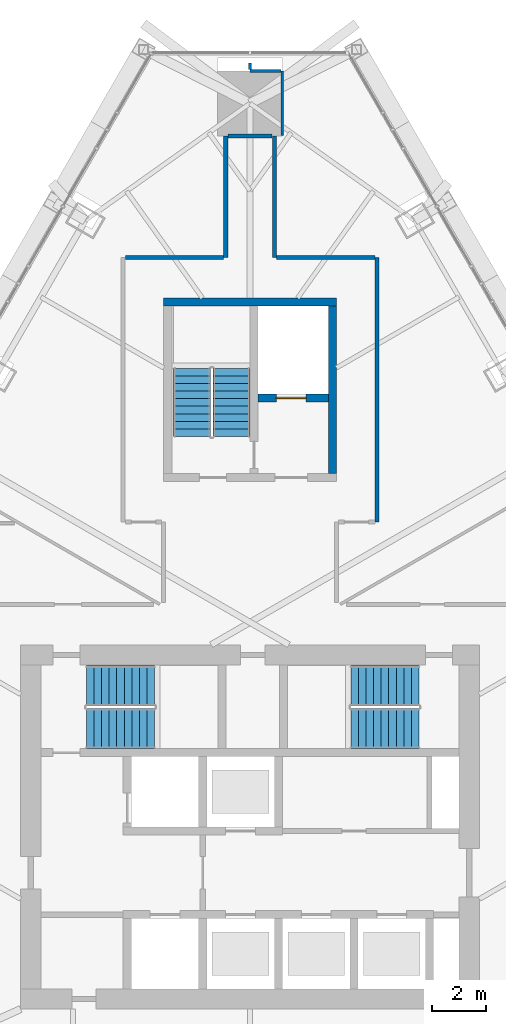
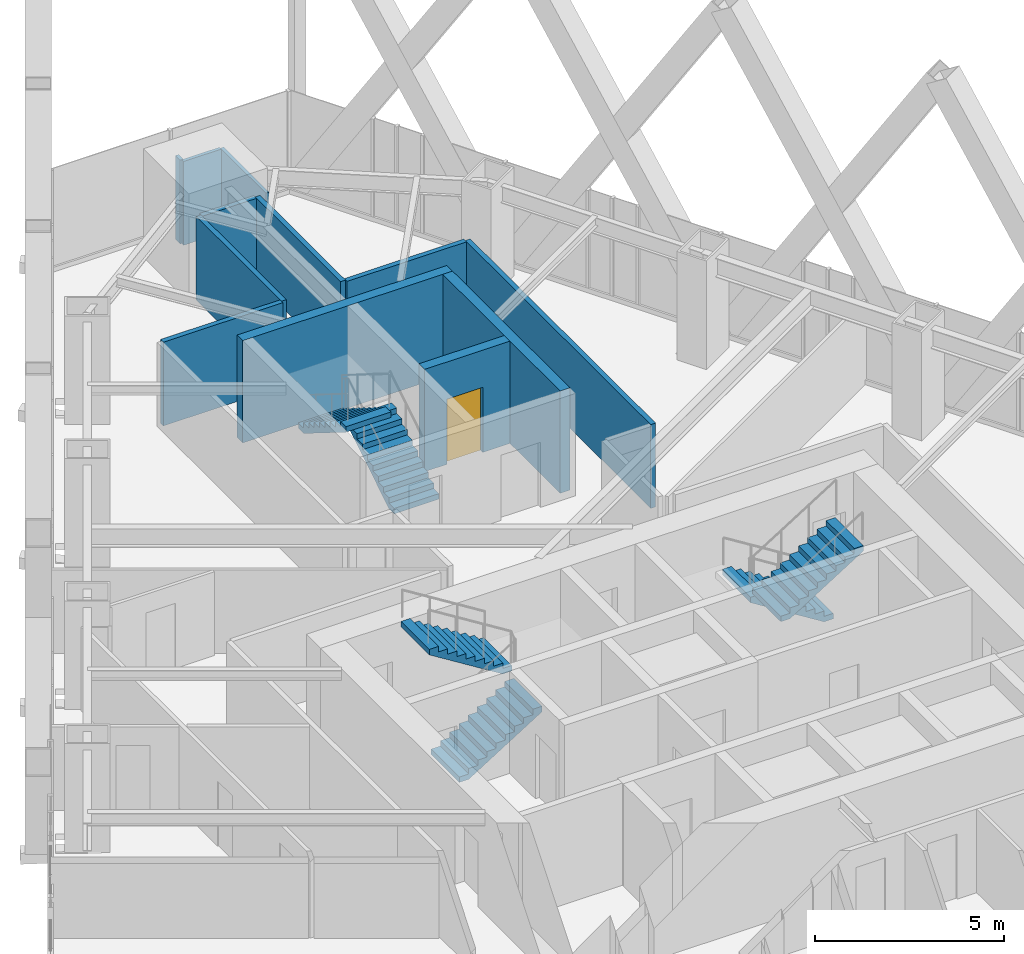
# One storey, part 23 of 25: 12 walls, 6 stair flights, 1 door, 1 opening, 3 elements without a shape of their own.
"""IFC4 building model written with IfcOpenShell, lengths in metres."""

from ifc_helpers import new_model, si_unit, direction, frame, frame_2d, origin, place, context, subcontext, project, spatial, polyline, rectangle, outline, extrude, material, layer, layer_set, type_object, element, fill, aggregate, save


model = new_model("IFC4")

# Units and contexts
model_context = context("Model", 3, precision=1e-05, world=origin(), true_north=direction((0.0, 1.0)))
body_context = subcontext(model_context, "Body", "Model", "MODEL_VIEW")
ifc_project = project(units=[si_unit("LENGTHUNIT", "METRE"), si_unit("AREAUNIT", "SQUARE_METRE"), si_unit("VOLUMEUNIT", "CUBIC_METRE"), si_unit("PLANEANGLEUNIT", "RADIAN"), si_unit("MASSUNIT", "GRAM", prefix="KILO")], contexts=[model_context])

# Site, building, storey
site_placement = place(None, origin())
site = spatial("IfcSite", under=ifc_project, at=site_placement, CompositionType="ELEMENT")
building_placement = place(site_placement, origin())
building = spatial("IfcBuilding", under=site, at=building_placement, Name="Firuza Gate Tower and Library", CompositionType="ELEMENT")
storey_placement = place(building_placement, frame((0.0, 0.0, 270.60009765625)))
storey = spatial("IfcBuildingStorey", under=building, at=storey_placement, Name="L64", CompositionType="ELEMENT", Elevation=270.60009765625)

# Walls
ifc_material_1 = material(Name="Concrete C60/75", Category="concrete")
ifc_layer_1 = layer(ifc_material_1, 0.300048828125)
ifc_layer_set_1 = layer_set([ifc_layer_1], Name="Core wall 300 C60/75")
wall_type_1 = type_object("IfcWallType", Name="Core wall 300 C60/75", PredefinedType="SHEAR", material=ifc_layer_set_1)
wall_1_placement = place(storey_placement, frame((71.800048828125, 94.449951171875, 0.0), z_axis=(0.0, 0.0, 1.0), x_axis=(1.0, 0.0, 0.0)))
element("IfcWall", 1, at=wall_1_placement, inside=storey, type_object=wall_type_1, Name="Core wall L64 19", PredefinedType="SHEAR", context=body_context, shape_type="SweptSolid", body=[
    extrude(rectangle(XDim=6.39990234375, YDim=0.300048828125, at=frame_2d((3.199951171875, 0.0))), origin(), (0.0, 0.0, 1.0), 3.2998046875),
])
wall_2_placement = place(storey_placement, frame((78.050048828125, 88.10009765625, 0.0), z_axis=(0.0, 0.0, 1.0), x_axis=(0.0, 1.0, 0.0)))
element("IfcWall", 2, at=wall_2_placement, inside=storey, type_object=wall_type_1, Name="Core wall L64 21", PredefinedType="SHEAR", context=body_context, shape_type="SweptSolid", body=[
    extrude(rectangle(XDim=6.199951171875, YDim=0.300048828125, at=frame_2d((3.10009765625, 0.0))), origin(), (0.0, 0.0, 1.0), 3.2998046875),
])

# Wall, opening, door
wall_3_placement = place(storey_placement, frame((75.300048828125, 90.89990234375, 0.0), z_axis=(0.0, 0.0, 1.0), x_axis=(1.0, 0.0, 0.0)))
wall_3 = element("IfcWall", 3, at=wall_3_placement, inside=storey, type_object=wall_type_1, Name="Core wall L64 22", PredefinedType="SHEAR", context=body_context, shape_type="SweptSolid", body=[
    extrude(rectangle(XDim=2.599853515625, YDim=0.300048828125, at=frame_2d((1.2998046875, 0.0))), origin(), (0.0, 0.0, 1.0), 3.2998046875),
])
opening_placement = place(wall_3_placement, frame((0.675048828125, 0.0, 0.0)))
opening = element("IfcOpeningElement", 4, at=opening_placement, cuts=wall_3, Name="Opening LD-SV1-L64", PredefinedType="OPENING", context=body_context, shape_type="SweptSolid", body=[
    extrude(rectangle(XDim=1.10009765625, YDim=2.10009765625, at=frame_2d((0.550048828125, 1.050048828125))), frame((0.0, 0.16015625, 0.0), z_axis=(0.0, -1.0, 0.0), x_axis=(1.0, 0.0, 0.0)), (0.0, 0.0, 1.0), 0.320068359375),
])
ifc_material_2 = material(Name="Stainless steel", Category="steel")
door_type = type_object("IfcDoorType", Name="Lift landing door 1100x2100", OperationType="DOUBLE_DOOR_SLIDING", PredefinedType="DOOR", material=ifc_material_2)
door_placement = place(opening_placement, origin())
door = element("IfcDoor", 5, at=door_placement, inside=storey, type_object=door_type, Name="Landing door SV1 L64", OperationType="DOUBLE_DOOR_SLIDING", OverallHeight=2.10009765625, OverallWidth=1.10009765625, PredefinedType="DOOR", context=body_context, shape_type="SweptSolid", body=[
    extrude(rectangle(XDim=1.10009765625, YDim=2.10009765625, at=frame_2d((0.550048828125, 1.050048828125))), frame((0.0, 0.02490234375, 0.0), z_axis=(0.0, -1.0, 0.0), x_axis=(1.0, 0.0, 0.0)), (0.0, 0.0, 1.0), 0.050048828125),
])
fill(opening, door)

# Walls
ifc_material_3 = material(Name="Gypsum board partition")
ifc_layer_2 = layer(ifc_material_3, 0.14990234375)
ifc_layer_set_2 = layer_set([ifc_layer_2], Name="Corridor wall 150 double board on steel studs")
wall_type_2 = type_object("IfcWallType", Name="Corridor wall 150 double board on steel studs", PredefinedType="PARTITIONING", material=ifc_layer_set_2)
for number, where, z_axis, x_axis, name in (
    (6, (70.376953125, 96.10009765625, 0.0), (0.0, 0.0, 1.0), (1.0, 0.0, 0.0), "f:L64:w011"),
    (7, (75.97509765625, 96.10009765625, 0.0), (0.0, 0.0, 1.0), (1.0, 0.0, 0.0), "f:L64:w012"),
):
    element("IfcWall", number, at=place(storey_placement, frame(where, z_axis=z_axis, x_axis=x_axis)), inside=storey, type_object=wall_type_2, Name=name, PredefinedType="PARTITIONING", context=body_context, shape_type="SweptSolid", body=[
        extrude(rectangle(XDim=3.64794921875, YDim=0.14990234375, at=frame_2d((1.823974609375, 0.0))), origin(), (0.0, 0.0, 1.0), 2.699951171875),
    ])
wall_4_placement = place(storey_placement, frame((74.175537109375, 100.612060546875, 0.0), z_axis=(0.0, 0.0, 1.0), x_axis=(1.0, 0.0, 0.0)))
element("IfcWall", 8, at=wall_4_placement, inside=storey, type_object=wall_type_2, Name="f:L64:w013", PredefinedType="PARTITIONING", context=body_context, shape_type="SweptSolid", body=[
    extrude(rectangle(XDim=1.642578125, YDim=0.14990234375, at=frame_2d((0.8212890625, 0.0))), origin(), (0.0, 0.0, 1.0), 2.697021484375),
])
wall_5_placement = place(storey_placement, frame((79.699951171875, 86.302001953125, 0.0), z_axis=(0.0, 0.0, 1.0), x_axis=(0.0, 1.0, 0.0)))
element("IfcWall", 9, at=wall_5_placement, inside=storey, type_object=wall_type_2, Name="f:L64:w033", PredefinedType="PARTITIONING", context=body_context, shape_type="SweptSolid", body=[
    extrude(rectangle(XDim=9.7958984375, YDim=0.14990234375, at=frame_2d((4.89794921875, 0.0))), origin(), (0.0, 0.0, 1.0), 2.699951171875),
])
wall_6_placement = place(storey_placement, frame((75.89990234375, 96.10009765625, 0.0), z_axis=(0.0, 0.0, 1.0), x_axis=(0.0, 1.0, 0.0)))
element("IfcWall", 10, at=wall_6_placement, inside=storey, type_object=wall_type_2, Name="f:L64:w038", PredefinedType="PARTITIONING", context=body_context, shape_type="SweptSolid", body=[
    extrude(rectangle(XDim=4.51171875, YDim=0.14990234375, at=frame_2d((2.255859375, 0.0))), origin(), (0.0, 0.0, 1.0), 2.699951171875),
])
wall_7_placement = place(storey_placement, frame((74.10009765625, 96.10009765625, 0.0), z_axis=(0.0, 0.0, 1.0), x_axis=(0.0, 1.0, 0.0)))
element("IfcWall", 11, at=wall_7_placement, inside=storey, type_object=wall_type_2, Name="f:L64:w040", PredefinedType="PARTITIONING", context=body_context, shape_type="SweptSolid", body=[
    extrude(rectangle(XDim=4.51123046875, YDim=0.14990234375, at=frame_2d((2.255615234375, 0.0))), origin(), (0.0, 0.0, 1.0), 2.699951171875),
])
ifc_material_4 = material(Name="Gypsum board partition")
ifc_layer_3 = layer(ifc_material_4, 0.10009765625)
ifc_layer_set_3 = layer_set([ifc_layer_3], Name="Partition 100 gypsum board on steel studs")
wall_type_3 = type_object("IfcWallType", Name="Partition 100 gypsum board on steel studs", PredefinedType="PARTITIONING", material=ifc_layer_set_3)
wall_8_placement = place(storey_placement, frame((75.00048828125, 103.011962890625, 0.0), z_axis=(0.0, 0.0, 1.0), x_axis=(1.0, 0.0, 0.0)))
element("IfcWall", 12, at=wall_8_placement, inside=storey, type_object=wall_type_3, Name="f:L64:w014", PredefinedType="PARTITIONING", context=body_context, shape_type="SweptSolid", body=[
    extrude(rectangle(XDim=1.1474609375, YDim=0.10009765625, at=frame_2d((0.57373046875, 0.0))), origin(), (0.0, 0.0, 1.0), 2.699951171875),
])
wall_9_placement = place(storey_placement, frame((76.199951171875, 100.614013671875, 0.0), z_axis=(0.0, 0.0, 1.0), x_axis=(0.0, 1.0, 0.0)))
element("IfcWall", 13, at=wall_9_placement, inside=storey, type_object=wall_type_3, Name="f:L64:w036", PredefinedType="PARTITIONING", context=body_context, shape_type="SweptSolid", body=[
    extrude(rectangle(XDim=2.39599609375, YDim=0.10009765625, at=frame_2d((1.197998046875, 0.0))), origin(), (0.0, 0.0, 1.0), 2.699951171875),
])
wall_10_placement = place(storey_placement, frame((75.0, 103.0625, 0.0), z_axis=(0.0, 0.0, 1.0), x_axis=(0.0, 1.0, 0.0)))
element("IfcWall", 14, at=wall_10_placement, inside=storey, type_object=wall_type_3, Name="f:L64:w039", PredefinedType="PARTITIONING", context=body_context, shape_type="SweptSolid", body=[
    extrude(rectangle(XDim=0.249267578125, YDim=0.10009765625, at=frame_2d((0.12451171875, 0.0))), origin(), (0.0, 0.0, 1.0), 2.699951171875),
])

# Stair, stair flights
ifc_material_5 = material(Name="Concrete C35/45", Category="concrete")
stair_type_1 = type_object("IfcStairType", Name="Exit stair ST17", PredefinedType="HALF_TURN_STAIR", material=ifc_material_5)
placement = place(storey_placement, origin())
stair_1 = element("IfcStair", 15, at=placement, inside=storey, type_object=stair_type_1, Name="L64 Stair ST3", PredefinedType="HALF_TURN_STAIR")
ifc_material_6 = material(Name="Concrete C35/45", Category="concrete")
stair_flight_type_1 = type_object("IfcStairFlightType", Name="Stair flight 10 risers 175 width 1370", PredefinedType="STRAIGHT", material=ifc_material_6)
stair_flight_1_placement = place(storey_placement, frame((74.31494140625, 89.469970703125, 0.0), z_axis=(0.0, 0.0, 1.0), x_axis=(0.0, 1.0, 0.0)))
stair_flight_1 = element("IfcStairFlight", 16, at=stair_flight_1_placement, type_object=stair_flight_type_1, Name="ST3 flight 1", NumberOfRisers=10, NumberOfTreads=9, PredefinedType="STRAIGHT", RiserHeight=0.175, TreadLength=0.28, context=body_context, shape_type="SweptSolid", body=[
    extrude(outline(polyline([(0.0, 0.0), (0.0, 0.175048828125), (0.280029296875, 0.175048828125), (0.280029296875, 0.35009765625), (0.56005859375, 0.35009765625), (0.56005859375, 0.52490234375), (0.840087890625, 0.52490234375), (0.840087890625, 0.699951171875), (1.1201171875, 0.699951171875), (1.1201171875, 0.875), (1.39990234375, 0.875), (1.39990234375, 1.050048828125), (1.679931640625, 1.050048828125), (1.679931640625, 1.22509765625), (1.9599609375, 1.22509765625), (1.9599609375, 1.39990234375), (2.239990234375, 1.39990234375), (2.239990234375, 1.574951171875), (2.52001953125, 1.574951171875), (2.52001953125, 1.75), (2.52001953125, 1.398193359375), (0.28271484375, 0.0), (0.0, 0.0)])), frame((0.0, 0.68505859375, 0.0), z_axis=(0.0, -1.0, 0.0), x_axis=(1.0, 0.0, 0.0)), (0.0, 0.0, 1.0), 1.3701171875),
])
stair_flight_2_placement = place(storey_placement, frame((72.844970703125, 91.989990234375, 1.75), z_axis=(0.0, 0.0, 1.0), x_axis=(0.0, -1.0, 0.0)))
stair_flight_2 = element("IfcStairFlight", 17, at=stair_flight_2_placement, type_object=stair_flight_type_1, Name="ST3 flight 2", NumberOfRisers=10, NumberOfTreads=9, PredefinedType="STRAIGHT", RiserHeight=0.175, TreadLength=0.28, context=body_context, shape_type="SweptSolid", body=[
    extrude(outline(polyline([(0.0, 0.0), (0.0, 0.175048828125), (0.280029296875, 0.175048828125), (0.280029296875, 0.35009765625), (0.56005859375, 0.35009765625), (0.56005859375, 0.52490234375), (0.840087890625, 0.52490234375), (0.840087890625, 0.699951171875), (1.1201171875, 0.699951171875), (1.1201171875, 0.875), (1.39990234375, 0.875), (1.39990234375, 1.050048828125), (1.679931640625, 1.050048828125), (1.679931640625, 1.22509765625), (1.9599609375, 1.22509765625), (1.9599609375, 1.39990234375), (2.239990234375, 1.39990234375), (2.239990234375, 1.574951171875), (2.52001953125, 1.574951171875), (2.52001953125, 1.75), (2.52001953125, 1.398193359375), (0.28271484375, 0.0), (0.0, 0.0)])), frame((0.0, 0.68505859375, 0.0), z_axis=(0.0, -1.0, 0.0), x_axis=(1.0, 0.0, 0.0)), (0.0, 0.0, 1.0), 1.3701171875),
])
aggregate(stair_1, [stair_flight_1, stair_flight_2])

ifc_material_7 = material(Name="Concrete C35/45", Category="concrete")
stair_type_2 = type_object("IfcStairType", Name="Exit stair ST8", PredefinedType="HALF_TURN_STAIR", material=ifc_material_7)
stair_2 = element("IfcStair", 18, at=placement, inside=storey, type_object=stair_type_2, Name="L64 Stair ST1", PredefinedType="HALF_TURN_STAIR")
ifc_material_8 = material(Name="Concrete C35/45", Category="concrete")
stair_flight_type_2 = type_object("IfcStairFlightType", Name="Stair flight 10 risers 175 width 1490", PredefinedType="STRAIGHT", material=ifc_material_8)
stair_flight_3_placement = place(storey_placement, frame((68.93994140625, 78.64501953125, 0.0), z_axis=(0.0, 0.0, 1.0), x_axis=(1.0, 0.0, 0.0)))
stair_flight_3 = element("IfcStairFlight", 19, at=stair_flight_3_placement, type_object=stair_flight_type_2, Name="ST1 flight 1", NumberOfRisers=10, NumberOfTreads=9, PredefinedType="STRAIGHT", RiserHeight=0.175, TreadLength=0.28, context=body_context, shape_type="SweptSolid", body=[
    extrude(outline(polyline([(0.0, 0.0), (0.0, 0.175048828125), (0.280029296875, 0.175048828125), (0.280029296875, 0.35009765625), (0.56005859375, 0.35009765625), (0.56005859375, 0.52490234375), (0.840087890625, 0.52490234375), (0.840087890625, 0.699951171875), (1.1201171875, 0.699951171875), (1.1201171875, 0.875), (1.39990234375, 0.875), (1.39990234375, 1.050048828125), (1.679931640625, 1.050048828125), (1.679931640625, 1.22509765625), (1.9599609375, 1.22509765625), (1.9599609375, 1.39990234375), (2.239990234375, 1.39990234375), (2.239990234375, 1.574951171875), (2.52001953125, 1.574951171875), (2.52001953125, 1.75), (2.52001953125, 1.398193359375), (0.28271484375, 0.0), (0.0, 0.0)])), frame((0.0, 0.7451171875, 0.0), z_axis=(0.0, -1.0, 0.0), x_axis=(1.0, 0.0, 0.0)), (0.0, 0.0, 1.0), 1.489990234375),
])
stair_flight_4_placement = place(storey_placement, frame((71.4599609375, 80.235107421875, 1.75), z_axis=(0.0, 0.0, 1.0), x_axis=(-1.0, 0.0, 0.0)))
stair_flight_4 = element("IfcStairFlight", 20, at=stair_flight_4_placement, type_object=stair_flight_type_2, Name="ST1 flight 2", NumberOfRisers=10, NumberOfTreads=9, PredefinedType="STRAIGHT", RiserHeight=0.175, TreadLength=0.28, context=body_context, shape_type="SweptSolid", body=[
    extrude(outline(polyline([(0.0, 0.0), (0.0, 0.175048828125), (0.280029296875, 0.175048828125), (0.280029296875, 0.35009765625), (0.56005859375, 0.35009765625), (0.56005859375, 0.52490234375), (0.840087890625, 0.52490234375), (0.840087890625, 0.699951171875), (1.1201171875, 0.699951171875), (1.1201171875, 0.875), (1.39990234375, 0.875), (1.39990234375, 1.050048828125), (1.679931640625, 1.050048828125), (1.679931640625, 1.22509765625), (1.9599609375, 1.22509765625), (1.9599609375, 1.39990234375), (2.239990234375, 1.39990234375), (2.239990234375, 1.574951171875), (2.52001953125, 1.574951171875), (2.52001953125, 1.75), (2.52001953125, 1.398193359375), (0.28271484375, 0.0), (0.0, 0.0)])), frame((0.0, 0.7451171875, 0.0), z_axis=(0.0, -1.0, 0.0), x_axis=(1.0, 0.0, 0.0)), (0.0, 0.0, 1.0), 1.489990234375),
])
aggregate(stair_2, [stair_flight_3, stair_flight_4])

stair_3 = element("IfcStair", 21, at=placement, inside=storey, type_object=stair_type_2, Name="L64 Stair ST2", PredefinedType="HALF_TURN_STAIR")
stair_flight_5_placement = place(storey_placement, frame((81.260009765625, 80.235107421875, 0.0), z_axis=(0.0, 0.0, 1.0), x_axis=(-1.0, 0.0, 0.0)))
stair_flight_5 = element("IfcStairFlight", 22, at=stair_flight_5_placement, type_object=stair_flight_type_2, Name="ST2 flight 1", NumberOfRisers=10, NumberOfTreads=9, PredefinedType="STRAIGHT", RiserHeight=0.175, TreadLength=0.28, context=body_context, shape_type="SweptSolid", body=[
    extrude(outline(polyline([(0.0, 0.0), (0.0, 0.175048828125), (0.280029296875, 0.175048828125), (0.280029296875, 0.35009765625), (0.56005859375, 0.35009765625), (0.56005859375, 0.52490234375), (0.840087890625, 0.52490234375), (0.840087890625, 0.699951171875), (1.1201171875, 0.699951171875), (1.1201171875, 0.875), (1.39990234375, 0.875), (1.39990234375, 1.050048828125), (1.679931640625, 1.050048828125), (1.679931640625, 1.22509765625), (1.9599609375, 1.22509765625), (1.9599609375, 1.39990234375), (2.239990234375, 1.39990234375), (2.239990234375, 1.574951171875), (2.52001953125, 1.574951171875), (2.52001953125, 1.75), (2.52001953125, 1.398193359375), (0.28271484375, 0.0), (0.0, 0.0)])), frame((0.0, 0.7451171875, 0.0), z_axis=(0.0, -1.0, 0.0), x_axis=(1.0, 0.0, 0.0)), (0.0, 0.0, 1.0), 1.489990234375),
])
stair_flight_6_placement = place(storey_placement, frame((78.739990234375, 78.64501953125, 1.75), z_axis=(0.0, 0.0, 1.0), x_axis=(1.0, 0.0, 0.0)))
stair_flight_6 = element("IfcStairFlight", 23, at=stair_flight_6_placement, type_object=stair_flight_type_2, Name="ST2 flight 2", NumberOfRisers=10, NumberOfTreads=9, PredefinedType="STRAIGHT", RiserHeight=0.175, TreadLength=0.28, context=body_context, shape_type="SweptSolid", body=[
    extrude(outline(polyline([(0.0, 0.0), (0.0, 0.175048828125), (0.280029296875, 0.175048828125), (0.280029296875, 0.35009765625), (0.56005859375, 0.35009765625), (0.56005859375, 0.52490234375), (0.840087890625, 0.52490234375), (0.840087890625, 0.699951171875), (1.1201171875, 0.699951171875), (1.1201171875, 0.875), (1.39990234375, 0.875), (1.39990234375, 1.050048828125), (1.679931640625, 1.050048828125), (1.679931640625, 1.22509765625), (1.9599609375, 1.22509765625), (1.9599609375, 1.39990234375), (2.239990234375, 1.39990234375), (2.239990234375, 1.574951171875), (2.52001953125, 1.574951171875), (2.52001953125, 1.75), (2.52001953125, 1.398193359375), (0.28271484375, 0.0), (0.0, 0.0)])), frame((0.0, 0.7451171875, 0.0), z_axis=(0.0, -1.0, 0.0), x_axis=(1.0, 0.0, 0.0)), (0.0, 0.0, 1.0), 1.489990234375),
])
aggregate(stair_3, [stair_flight_5, stair_flight_6])

save(model, "model.ifc")
